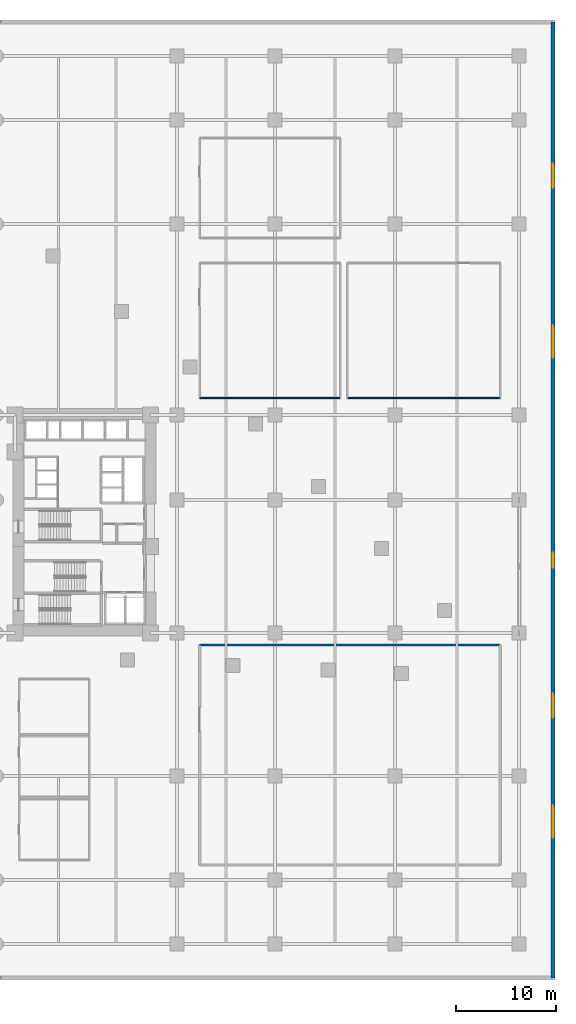
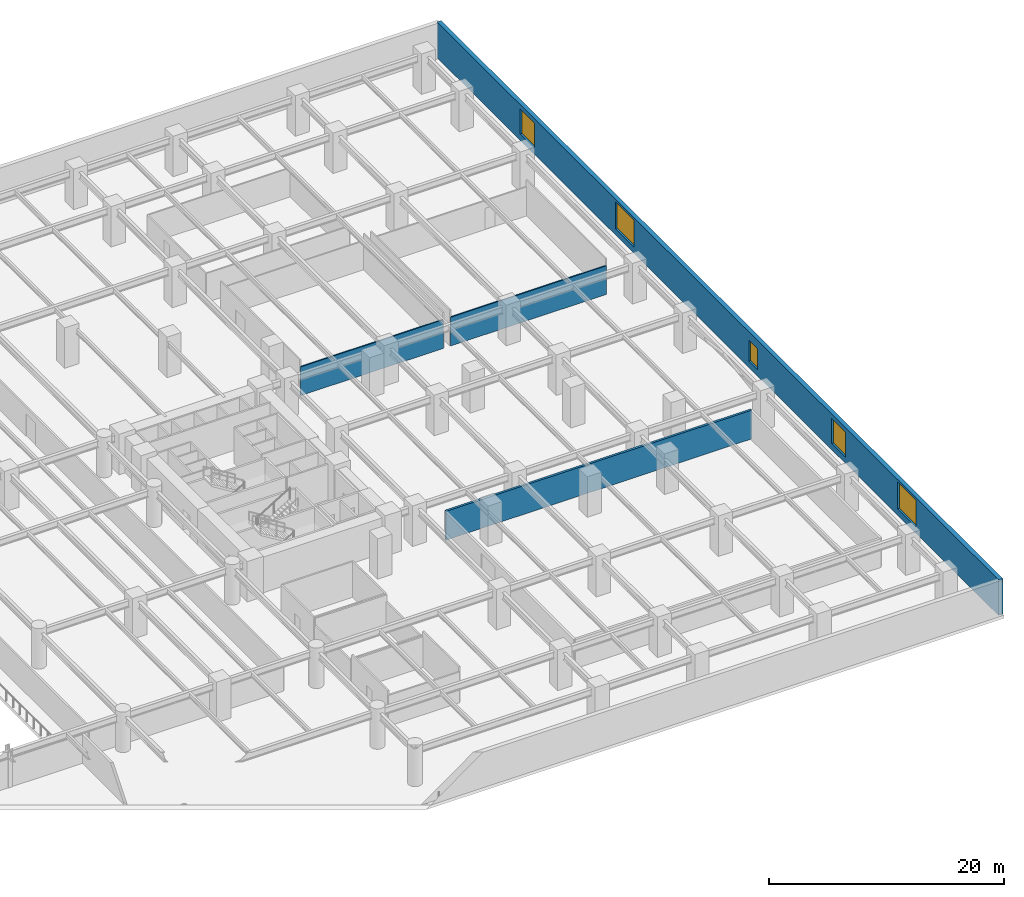
# One storey, part 12 of 20: 5 windows, 4 walls, 5 openings.
"""IFC4 building model written with IfcOpenShell, lengths in metres."""

from ifc_helpers import new_model, si_unit, direction, frame, frame_2d, origin, place, context, subcontext, project, spatial, rectangle, extrude, material, layer, layer_set, type_object, element, fill, save


model = new_model("IFC4")

# Units and contexts
model_context = context("Model", 3, precision=1e-05, world=origin(), true_north=direction((0.0, 1.0)))
body_context = subcontext(model_context, "Body", "Model", "MODEL_VIEW")
ifc_project = project(units=[si_unit("LENGTHUNIT", "METRE"), si_unit("AREAUNIT", "SQUARE_METRE"), si_unit("VOLUMEUNIT", "CUBIC_METRE"), si_unit("PLANEANGLEUNIT", "RADIAN"), si_unit("MASSUNIT", "GRAM", prefix="KILO")], contexts=[model_context])

# Site, building, storey
site_placement = place(None, origin())
site = spatial("IfcSite", under=ifc_project, at=site_placement, CompositionType="ELEMENT")
building_placement = place(site_placement, origin())
building = spatial("IfcBuilding", under=site, at=building_placement, Name="Narakoshi Arena Tower", CompositionType="ELEMENT")
storey_placement = place(building_placement, frame((0.0, 0.0, 17.39990234375)))
storey = spatial("IfcBuildingStorey", under=building, at=storey_placement, Name="L04", CompositionType="ELEMENT", Elevation=17.39990234375)

# Walls
ifc_material_1 = material(Name="Concrete C40/50", Category="concrete")
ifc_layer_1 = layer(ifc_material_1, 0.219970703125)
ifc_layer_set_1 = layer_set([ifc_layer_1], Name="Concrete C40/50")
wall_type_1 = type_object("IfcWallType", Name="WL-COMP-220", PredefinedType="SOLIDWALL", material=ifc_layer_set_1)
wall_1_placement = place(storey_placement, frame((120.5, 33.5, 0.0), z_axis=(0.0, 0.0, 1.0), x_axis=(-1.0, 0.0, 0.0)))
element("IfcWall", 1, at=wall_1_placement, inside=storey, type_object=wall_type_1, Name="L04 Keynote Auditorium Hall Wall N", PredefinedType="SOLIDWALL", context=body_context, shape_type="SweptSolid", body=[
    extrude(rectangle(XDim=30.050048828125, YDim=0.219970703125, at=frame_2d((15.02490234375, 0.0))), origin(), (0.0, 0.0, 1.0), 2.985107421875),
])
ifc_material_2 = material(Name="Gypsum plasterboard fire-rated partition")
ifc_layer_2 = layer(ifc_material_2, 0.125)
ifc_layer_set_2 = layer_set([ifc_layer_2], Name="Gypsum plasterboard fire-rated partition")
wall_type_2 = type_object("IfcWallType", Name="WL-PART-125", PredefinedType="PARTITIONING", material=ifc_layer_set_2)
wall_2_placement = place(storey_placement, frame((90.449951171875, 58.199951171875, 0.0), z_axis=(0.0, 0.0, 1.0), x_axis=(1.0, 0.0, 0.0)))
element("IfcWall", 2, at=wall_2_placement, inside=storey, type_object=wall_type_2, Name="L04 Executive Conference Suite A Wall S", PredefinedType="PARTITIONING", context=body_context, shape_type="SweptSolid", body=[
    extrude(rectangle(XDim=14.050048828125, YDim=0.125, at=frame_2d((7.02490234375, 0.0))), origin(), (0.0, 0.0, 1.0), 2.985107421875),
])
wall_3_placement = place(storey_placement, frame((105.199951171875, 58.199951171875, 0.0), z_axis=(0.0, 0.0, 1.0), x_axis=(1.0, 0.0, 0.0)))
element("IfcWall", 3, at=wall_3_placement, inside=storey, type_object=wall_type_2, Name="L04 Executive Conference Suite B Wall S", PredefinedType="PARTITIONING", context=body_context, shape_type="SweptSolid", body=[
    extrude(rectangle(XDim=15.300048828125, YDim=0.125, at=frame_2d((7.64990234375, 0.0))), origin(), (0.0, 0.0, 1.0), 2.985107421875),
])

# Wall, openings, windows
ifc_material_3 = material(Name="Precast concrete C45/55", Category="concrete")
ifc_layer_3 = layer(ifc_material_3, 0.419921875)
ifc_layer_set_3 = layer_set([ifc_layer_3], Name="Precast concrete C45/55")
wall_type_3 = type_object("IfcWallType", Name="WL-POD-420", PredefinedType="SOLIDWALL", material=ifc_layer_set_3)
wall_4_placement = place(storey_placement, frame((125.7900390625, 0.2099609375, 0.0), z_axis=(0.0, 0.0, 1.0), x_axis=(0.0, 1.0, 0.0)))
wall_4 = element("IfcWall", 4, at=wall_4_placement, inside=storey, type_object=wall_type_3, Name="L04 Podium Precast Facade Wall E", PredefinedType="SOLIDWALL", context=body_context, shape_type="SweptSolid", body=[
    extrude(rectangle(XDim=95.580078125, YDim=0.419921875, at=frame_2d((47.7900390625, 0.0))), origin(), (0.0, 0.0, 1.0), 3.7001953125),
])
opening_1_placement = place(wall_4_placement, frame((14.0, 0.0, 0.64990234375)))
opening_1 = element("IfcOpeningElement", 5, at=opening_1_placement, cuts=wall_4, Name="Opening WN-08", PredefinedType="OPENING", context=body_context, shape_type="SweptSolid", body=[
    extrude(rectangle(XDim=3.199951171875, YDim=2.800048828125, at=frame_2d((1.60009765625, 1.39990234375))), frame((0.0, 0.219970703125, 0.0), z_axis=(0.0, -1.0, 0.0), x_axis=(1.0, 0.0, 0.0)), (0.0, 0.0, 1.0), 0.43994140625),
])
opening_2_placement = place(wall_4_placement, frame((26.0, 0.0, 0.64990234375)))
opening_2 = element("IfcOpeningElement", 6, at=opening_2_placement, cuts=wall_4, Name="Opening WN-09", PredefinedType="OPENING", context=body_context, shape_type="SweptSolid", body=[
    extrude(rectangle(XDim=2.39990234375, YDim=2.60009765625, at=frame_2d((1.199951171875, 1.300048828125))), frame((0.0, 0.219970703125, 0.0), z_axis=(0.0, -1.0, 0.0), x_axis=(1.0, 0.0, 0.0)), (0.0, 0.0, 1.0), 0.43994140625),
])
opening_3_placement = place(wall_4_placement, frame((41.0, 0.0, 0.64990234375)))
opening_3 = element("IfcOpeningElement", 7, at=opening_3_placement, cuts=wall_4, Name="Opening WN-10", PredefinedType="OPENING", context=body_context, shape_type="SweptSolid", body=[
    extrude(rectangle(XDim=1.5, YDim=2.199951171875, at=frame_2d((0.75, 1.10009765625))), frame((0.0, 0.219970703125, 0.0), z_axis=(0.0, -1.0, 0.0), x_axis=(1.0, 0.0, 0.0)), (0.0, 0.0, 1.0), 0.43994140625),
])
opening_4_placement = place(wall_4_placement, frame((62.0, 0.0, 0.64990234375)))
opening_4 = element("IfcOpeningElement", 8, at=opening_4_placement, cuts=wall_4, Name="Opening WN-08", PredefinedType="OPENING", context=body_context, shape_type="SweptSolid", body=[
    extrude(rectangle(XDim=3.199951171875, YDim=2.800048828125, at=frame_2d((1.60009765625, 1.39990234375))), frame((0.0, 0.219970703125, 0.0), z_axis=(0.0, -1.0, 0.0), x_axis=(1.0, 0.0, 0.0)), (0.0, 0.0, 1.0), 0.43994140625),
])
opening_5_placement = place(wall_4_placement, frame((79.0, 0.0, 0.64990234375)))
opening_5 = element("IfcOpeningElement", 9, at=opening_5_placement, cuts=wall_4, Name="Opening WN-09", PredefinedType="OPENING", context=body_context, shape_type="SweptSolid", body=[
    extrude(rectangle(XDim=2.39990234375, YDim=2.60009765625, at=frame_2d((1.199951171875, 1.300048828125))), frame((0.0, 0.219970703125, 0.0), z_axis=(0.0, -1.0, 0.0), x_axis=(1.0, 0.0, 0.0)), (0.0, 0.0, 1.0), 0.43994140625),
])
ifc_material_4 = material(Name="Bronze-tinted low-E laminated glass", Category="glass")
window_type_1 = type_object("IfcWindowType", Name="WIN-POD-15x22", PartitioningType="SINGLE_PANEL", PredefinedType="WINDOW", material=ifc_material_4)
window_1_placement = place(opening_3_placement, origin())
window_1 = element("IfcWindow", 10, at=window_1_placement, inside=storey, type_object=window_type_1, Name="L04 Podium East Window 03", OverallHeight=2.199951171875, OverallWidth=1.5, PartitioningType="SINGLE_PANEL", PredefinedType="WINDOW", context=body_context, shape_type="SweptSolid", body=[
    extrude(rectangle(XDim=1.5, YDim=2.199951171875, at=frame_2d((0.75, 1.10009765625))), frame((0.0, 0.030029296875, 0.0), z_axis=(0.0, -1.0, 0.0), x_axis=(1.0, 0.0, 0.0)), (0.0, 0.0, 1.0), 0.06005859375),
])
fill(opening_3, window_1)
window_type_2 = type_object("IfcWindowType", Name="WIN-POD-24x26", PartitioningType="SINGLE_PANEL", PredefinedType="WINDOW", material=ifc_material_4)
window_2_placement = place(opening_2_placement, origin())
window_2 = element("IfcWindow", 11, at=window_2_placement, inside=storey, type_object=window_type_2, Name="L04 Podium East Window 02", OverallHeight=2.60009765625, OverallWidth=2.39990234375, PartitioningType="SINGLE_PANEL", PredefinedType="WINDOW", context=body_context, shape_type="SweptSolid", body=[
    extrude(rectangle(XDim=2.39990234375, YDim=2.60009765625, at=frame_2d((1.199951171875, 1.300048828125))), frame((0.0, 0.030029296875, 0.0), z_axis=(0.0, -1.0, 0.0), x_axis=(1.0, 0.0, 0.0)), (0.0, 0.0, 1.0), 0.06005859375),
])
fill(opening_2, window_2)
window_3_placement = place(opening_5_placement, origin())
window_3 = element("IfcWindow", 12, at=window_3_placement, inside=storey, type_object=window_type_2, Name="L04 Podium East Window 05", OverallHeight=2.60009765625, OverallWidth=2.39990234375, PartitioningType="SINGLE_PANEL", PredefinedType="WINDOW", context=body_context, shape_type="SweptSolid", body=[
    extrude(rectangle(XDim=2.39990234375, YDim=2.60009765625, at=frame_2d((1.199951171875, 1.300048828125))), frame((0.0, 0.030029296875, 0.0), z_axis=(0.0, -1.0, 0.0), x_axis=(1.0, 0.0, 0.0)), (0.0, 0.0, 1.0), 0.06005859375),
])
fill(opening_5, window_3)
window_type_3 = type_object("IfcWindowType", Name="WIN-POD-32x28", PartitioningType="SINGLE_PANEL", PredefinedType="WINDOW", material=ifc_material_4)
window_4_placement = place(opening_1_placement, origin())
window_4 = element("IfcWindow", 13, at=window_4_placement, inside=storey, type_object=window_type_3, Name="L04 Podium East Window 01", OverallHeight=2.800048828125, OverallWidth=3.199951171875, PartitioningType="SINGLE_PANEL", PredefinedType="WINDOW", context=body_context, shape_type="SweptSolid", body=[
    extrude(rectangle(XDim=3.199951171875, YDim=2.800048828125, at=frame_2d((1.60009765625, 1.39990234375))), frame((0.0, 0.030029296875, 0.0), z_axis=(0.0, -1.0, 0.0), x_axis=(1.0, 0.0, 0.0)), (0.0, 0.0, 1.0), 0.06005859375),
])
fill(opening_1, window_4)
window_5_placement = place(opening_4_placement, origin())
window_5 = element("IfcWindow", 14, at=window_5_placement, inside=storey, type_object=window_type_3, Name="L04 Podium East Window 04", OverallHeight=2.800048828125, OverallWidth=3.199951171875, PartitioningType="SINGLE_PANEL", PredefinedType="WINDOW", context=body_context, shape_type="SweptSolid", body=[
    extrude(rectangle(XDim=3.199951171875, YDim=2.800048828125, at=frame_2d((1.60009765625, 1.39990234375))), frame((0.0, 0.030029296875, 0.0), z_axis=(0.0, -1.0, 0.0), x_axis=(1.0, 0.0, 0.0)), (0.0, 0.0, 1.0), 0.06005859375),
])
fill(opening_4, window_5)

save(model, "model.ifc")
